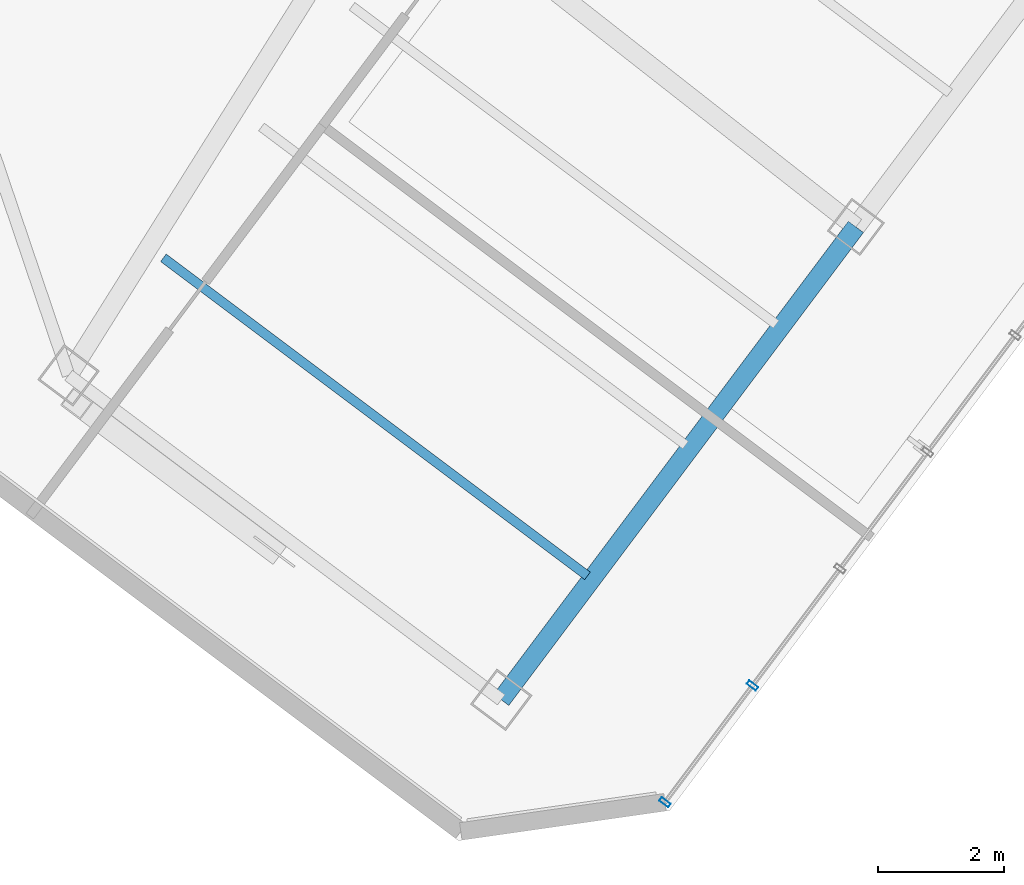
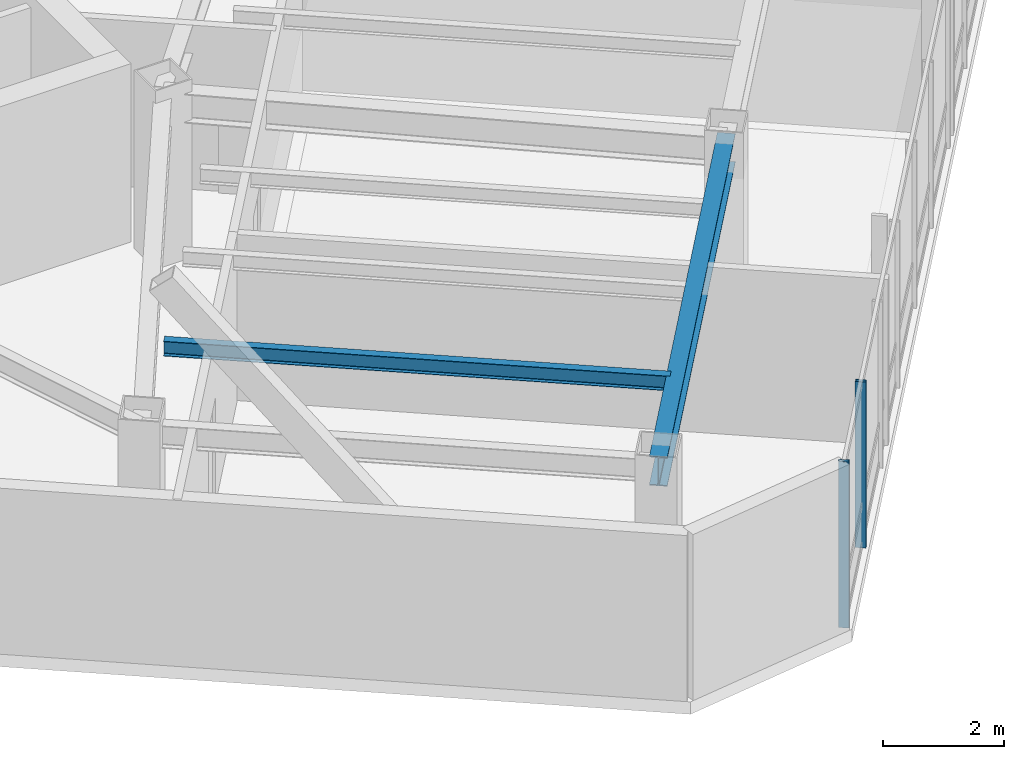
# One storey, part 2 of 26: 2 beams, 2 members, 1 element without a shape of its own.
"""IFC4 building model written with IfcOpenShell, lengths in metres."""

import ifcopenshell
import ifcopenshell.guid

model = None  # the IFC model being written
_history = None  # IfcOwnerHistory: only IFC2X3 demands one
_inside = {}  # id of a spatial element -> (the spatial element, [elements in it])
_under = {}  # id of a project, library or spatial element -> (it, [spatial elements below it])
_declared = {}  # id of a project -> (the project, [libraries it declares])
_typed = {}  # id of a type object -> (the type object, [elements of that type])
_made_of = {}  # id of a material, layer set ... -> (it, [elements and type objects made of it])


def new_model(schema):
    """Start an empty IFC model of exactly this schema.

    Asked for "IFC4X3", IfcOpenShell would pick the latest addendum, in which some entities
    have other attributes; the version numbers below select the first issue.
    IFC2X3 requires an IfcOwnerHistory on every rooted entity: one is made here for all.
    """
    global model, _history
    if schema == "IFC4X3":
        model = ifcopenshell.file(schema_version=(4, 3, 0, 0))
    else:
        model = ifcopenshell.file(schema=schema)
    _inside.clear()
    _under.clear()
    _declared.clear()
    _typed.clear()
    _made_of.clear()
    _history = None
    if model.schema == "IFC2X3":
        org = make("IfcOrganization", Name="unknown")
        user = make(
            "IfcPersonAndOrganization",
            ThePerson=make("IfcPerson", FamilyName="unknown"),
            TheOrganization=org,
        )
        app = make(
            "IfcApplication",
            ApplicationDeveloper=org,
            Version="unknown",
            ApplicationFullName="unknown",
            ApplicationIdentifier="unknown",
        )
        _history = make(
            "IfcOwnerHistory",
            OwningUser=user,
            OwningApplication=app,
            ChangeAction="ADDED",
            CreationDate=0,
        )
    return model


def make(cls, **values):
    """One entity of the class cls with the attributes given. An attribute that is None is left unset."""
    return model.create_entity(
        cls, **{name: value for name, value in values.items() if value is not None}
    )


def rooted(cls, **values):
    """An entity with a GlobalId (a new one), such as an element, a storey or a relation."""
    return make(cls, GlobalId=ifcopenshell.guid.new(), OwnerHistory=_history, **values)


def si_unit(unit_type, name, prefix=None):
    """IfcSIUnit, for example si_unit("LENGTHUNIT", "METRE", prefix="MILLI")."""
    return make("IfcSIUnit", UnitType=unit_type, Prefix=prefix, Name=name)


def assignment(units):
    """IfcUnitAssignment: the units of a project."""
    return None if units is None else make("IfcUnitAssignment", Units=units)


def point(xyz):
    """IfcCartesianPoint."""
    return None if xyz is None else make("IfcCartesianPoint", Coordinates=xyz)


def direction(xyz):
    """IfcDirection."""
    return None if xyz is None else make("IfcDirection", DirectionRatios=xyz)


def frame(location, z_axis=None, x_axis=None):
    """IfcAxis2Placement3D, a coordinate frame: its origin and axes. An axis left out is left unset."""
    return make(
        "IfcAxis2Placement3D",
        Location=point(location),
        Axis=direction(z_axis),
        RefDirection=direction(x_axis),
    )


def frame_2d(location, x_axis=None):
    """IfcAxis2Placement2D, a coordinate frame in the plane: its origin and x axis."""
    return make(
        "IfcAxis2Placement2D", Location=point(location), RefDirection=direction(x_axis)
    )


def origin():
    """The frame at (0, 0, 0) with its axes left unset."""
    return frame((0.0, 0.0, 0.0))


def origin_2d():
    """The frame at (0, 0) in the plane with its x axis left unset."""
    return frame_2d((0.0, 0.0))


def place(relative_to, where):
    """IfcLocalPlacement: puts the frame where relative to a parent placement (None: the world)."""
    return make(
        "IfcLocalPlacement", PlacementRelTo=relative_to, RelativePlacement=where
    )


def context(
    kind, dimensions, precision=None, world=None, true_north=None, identifier=None
):
    """IfcGeometricRepresentationContext, for example the 3D "Model" context."""
    return make(
        "IfcGeometricRepresentationContext",
        ContextIdentifier=identifier,
        ContextType=kind,
        CoordinateSpaceDimension=dimensions,
        Precision=precision,
        WorldCoordinateSystem=world,
        TrueNorth=true_north,
    )


def subcontext(parent, identifier, kind, view, scale=None):
    """IfcGeometricRepresentationSubContext, for example "Body" below "Model"."""
    return make(
        "IfcGeometricRepresentationSubContext",
        ContextIdentifier=identifier,
        ContextType=kind,
        ParentContext=parent,
        TargetScale=scale,
        TargetView=view,
    )


def project(units=None, contexts=None):
    """IfcProject with its units and contexts."""
    return rooted(
        "IfcProject",
        Name="project",
        RepresentationContexts=contexts,
        UnitsInContext=assignment(units),
    )


def spatial(cls, under=None, at=None, **own):
    """A site, building, storey or space (cls), placed at a placement, below another one or the project."""
    s = rooted(cls, ObjectPlacement=at, **own)
    if under is not None:
        _under.setdefault(under.id(), (under, []))[1].append(s)
    return s


def profile(cls, at=None, kind="AREA", **sizes):
    """A parametric profile (cls). Its sizes go by their IFC names, for example OverallWidth=200.0."""
    return make(cls, ProfileType=kind, Position=at, **sizes)


def hollow_rectangle(**sizes):
    """IfcRectangleHollowProfileDef."""
    return profile("IfcRectangleHollowProfileDef", **sizes)


def i_section(**sizes):
    """IfcIShapeProfileDef."""
    return profile("IfcIShapeProfileDef", **sizes)


def extrude(swept, where, along, depth):
    """IfcExtrudedAreaSolid: the profile swept, set in the frame where, extruded along a direction by depth."""
    return make(
        "IfcExtrudedAreaSolid",
        SweptArea=swept,
        Position=where,
        ExtrudedDirection=direction(along),
        Depth=depth,
    )


def shape(context_of_items, identifier, shape_type, items):
    """IfcShapeRepresentation: the items that make up one representation, for example the "Body"."""
    return make(
        "IfcShapeRepresentation",
        ContextOfItems=context_of_items,
        RepresentationIdentifier=identifier,
        RepresentationType=shape_type,
        Items=items,
    )


def material(Name=None, Category=None):
    """IfcMaterial."""
    return make("IfcMaterial", Name=Name, Category=Category)


def layer(
    of_material, thickness, ventilated=None, Name=None, Category=None, Priority=None
):
    """IfcMaterialLayer: one layer of a wall or slab, of a material (None: an air gap)."""
    return make(
        "IfcMaterialLayer",
        Material=of_material,
        LayerThickness=thickness,
        IsVentilated=ventilated,
        Name=Name,
        Category=Category,
        Priority=Priority,
    )


def layer_set(layers, Name=None):
    """IfcMaterialLayerSet."""
    return make("IfcMaterialLayerSet", MaterialLayers=layers, LayerSetName=Name)


def material_profile(
    of_material, cross_section, Name=None, Category=None, Priority=None
):
    """IfcMaterialProfile: a cross section and its material."""
    return make(
        "IfcMaterialProfile",
        Name=Name,
        Material=of_material,
        Profile=cross_section,
        Priority=Priority,
        Category=Category,
    )


def profile_set(profiles, Name=None, composite=None):
    """IfcMaterialProfileSet."""
    return make(
        "IfcMaterialProfileSet",
        Name=Name,
        MaterialProfiles=profiles,
        CompositeProfile=composite,
    )


def made_of(thing, what):
    """Note that an element or type object is made of a material, layer set ...; save() writes the relation."""
    if what is not None:
        _made_of.setdefault(what.id(), (what, []))[1].append(thing)
    return thing


def type_object(cls, material=None, **own):
    """A type object (cls), such as IfcWallType, which elements share."""
    return made_of(rooted(cls, **own), material)


def element(
    cls,
    number,
    at=None,
    inside=None,
    cuts=None,
    type_object=None,
    material=None,
    context=None,
    identifier="Body",
    shape_type=None,
    held_by="IfcProductDefinitionShape",
    body=None,
    shapes=None,
    **own,
):
    """One element of the class cls, such as IfcWall. Its Tag is "e" and its number.

    at: its placement. inside: the storey or other place that contains it. cuts: it is an
    opening in that element (IfcRelVoidsElement). A single representation is given by context,
    identifier, shape_type and body (its items); several are given by shapes. held_by: the class
    of the entity that holds the representations. save() writes the other relations.
    """
    e = rooted(cls, Tag="e%d" % number, ObjectPlacement=at, **own)
    if body is not None:
        shapes = [shape(context, identifier, shape_type, body)]
    if shapes is not None:
        e.Representation = make(held_by, Representations=shapes)
    if inside is not None:
        _inside.setdefault(inside.id(), (inside, []))[1].append(e)
    if cuts is not None:
        rooted(
            "IfcRelVoidsElement", RelatingBuildingElement=cuts, RelatedOpeningElement=e
        )
    if type_object is not None:
        _typed.setdefault(type_object.id(), (type_object, []))[1].append(e)
    return made_of(e, material)


def aggregate(whole, parts):
    """IfcRelAggregates: a whole, such as a stair, and the parts it consists of."""
    return rooted("IfcRelAggregates", RelatingObject=whole, RelatedObjects=parts)


def save(model, path):
    """Write the relations noted so far, then the file.

    IfcRelAggregates (storeys below a building ...), IfcRelContainedInSpatialStructure (elements
    in a storey), IfcRelDefinesByType, IfcRelAssociatesMaterial and IfcRelDeclares: one each for
    every whole, place, type object, material and project.
    """
    for whole, parts in _under.values():
        aggregate(whole, parts)
    for where, things in _inside.values():
        rooted(
            "IfcRelContainedInSpatialStructure",
            RelatedElements=things,
            RelatingStructure=where,
        )
    for kind, things in _typed.values():
        rooted("IfcRelDefinesByType", RelatedObjects=things, RelatingType=kind)
    for what, things in _made_of.values():
        rooted("IfcRelAssociatesMaterial", RelatedObjects=things, RelatingMaterial=what)
    for by, libraries in _declared.values():
        rooted("IfcRelDeclares", RelatingContext=by, RelatedDefinitions=libraries)
    model.write(path)


model = new_model("IFC4")

# Units and contexts
model_context = context("Model", 3, precision=1e-05, world=origin(), true_north=direction((0.0, 1.0)))
body_context = subcontext(model_context, "Body", "Model", "MODEL_VIEW")
ifc_project = project(units=[si_unit("LENGTHUNIT", "METRE"), si_unit("AREAUNIT", "SQUARE_METRE"), si_unit("VOLUMEUNIT", "CUBIC_METRE"), si_unit("PLANEANGLEUNIT", "RADIAN"), si_unit("MASSUNIT", "GRAM", prefix="KILO")], contexts=[model_context])

# Site, building, storey
site_placement = place(None, origin())
site = spatial("IfcSite", under=ifc_project, at=site_placement, CompositionType="ELEMENT")
building_placement = place(site_placement, origin())
building = spatial("IfcBuilding", under=site, at=building_placement, Name="Hatsunagi Terrace Concourse", CompositionType="ELEMENT")
storey_placement = place(building_placement, frame((0.0, 0.0, 227.550048828125)))
storey = spatial("IfcBuildingStorey", under=building, at=storey_placement, Name="L60", CompositionType="ELEMENT", Elevation=227.550048828125)

# Curtain wall, members
ifc_material_1 = material(Name="Anodised Aluminium Alloy 6063-T5", Category="aluminium")
ifc_layer = layer(ifc_material_1, 0.199951171875)
ifc_layer_set = layer_set([ifc_layer], Name="OfficeZone2_CW04")
curtain_wall_type = type_object("IfcCurtainWallType", Name="OfficeZone2_CW04", PredefinedType="NOTDEFINED", material=ifc_layer_set)
curtain_wall_placement = place(storey_placement, origin())
curtain_wall = element("IfcCurtainWall", 1, at=curtain_wall_placement, inside=storey, type_object=curtain_wall_type, Name="Unitised Curtain Wall CW-04 CW-L60-03", PredefinedType="NOTDEFINED")
ifc_material_2 = material(Name="Anodised Aluminium Alloy 6063-T5", Category="aluminium")
ifc_material_profile_1 = material_profile(ifc_material_2, hollow_rectangle(XDim=0.070068359375, YDim=0.179931640625, WallThickness=0.00390625, at=origin_2d()), Name="ALU-MUL-180x70x4")
ifc_profile_set_1 = profile_set([ifc_material_profile_1], Name="Anodised Aluminium Alloy 6063-T5")
member_type = type_object("IfcMemberType", Name="CurtainWallMullion_180x70", PredefinedType="MULLION", material=ifc_profile_set_1)
member_1_placement = place(storey_placement, frame((49.554931640625, 11.10595703125, 0.0), z_axis=(0.0, 0.0, 1.0), x_axis=(-0.599969314634, -0.800023013105, 0.0)))
member_1 = element("IfcMember", 2, at=member_1_placement, type_object=member_type, Name="Curtain Wall Mullion MUL-02", PredefinedType="MULLION", context=body_context, shape_type="SweptSolid", body=[
    extrude(hollow_rectangle(XDim=0.070068359375, YDim=0.179931640625, WallThickness=0.00390625, at=origin_2d()), origin(), (0.0, 0.0, 1.0), 3.349853515625),
])
member_2_placement = place(storey_placement, frame((48.1630859375, 9.25, 0.0), z_axis=(0.0, 0.0, 1.0), x_axis=(-0.599969314634, -0.800023013105, 0.0)))
member_2 = element("IfcMember", 3, at=member_2_placement, type_object=member_type, Name="Curtain Wall Mullion MUL-02", PredefinedType="MULLION", context=body_context, shape_type="SweptSolid", body=[
    extrude(hollow_rectangle(XDim=0.070068359375, YDim=0.179931640625, WallThickness=0.00390625, at=origin_2d()), origin(), (0.0, 0.0, 1.0), 3.349853515625),
])
aggregate(curtain_wall, [member_1, member_2])

# Beams
ifc_material_3 = material(Name="Steel SN490B", Category="steel")
ifc_material_profile_2 = material_profile(ifc_material_3, i_section(OverallWidth=0.300048828125, OverallDepth=0.587890625, WebThickness=0.011962890625, FlangeThickness=0.02001953125, FilletRadius=0.01806640625, at=origin_2d()), Name="H-588x300x12x20")
ifc_profile_set_2 = profile_set([ifc_material_profile_2], Name="Steel SN490B")
beam_type_1 = type_object("IfcBeamType", Name="OfficeHighGirder_H_588x300", PredefinedType="BEAM", material=ifc_profile_set_2)
beam_1_placement = place(storey_placement, frame((45.56005859375, 10.8798828125, 3.055908203125), z_axis=(0.599991688754, 0.800006233367, 0.0), x_axis=(-0.800006233367, 0.599991688754, 0.0)))
element("IfcBeam", 4, at=beam_1_placement, inside=storey, type_object=beam_type_1, Name="Beam G-06 BM-L60-SET-2A", PredefinedType="BEAM", context=body_context, shape_type="SweptSolid", body=[
    extrude(i_section(OverallWidth=0.300048828125, OverallDepth=0.587890625, WebThickness=0.011962890625, FlangeThickness=0.02001953125, FilletRadius=0.01806640625, at=origin_2d()), origin(), (0.0, 0.0, 1.0), 9.39990234375),
])
ifc_material_4 = material(Name="Steel SN490B", Category="steel")
ifc_material_profile_3 = material_profile(ifc_material_4, i_section(OverallWidth=0.14990234375, OverallDepth=0.300048828125, WebThickness=0.006591796875, FlangeThickness=0.009033203125, FilletRadius=0.010986328125, at=origin_2d()), Name="H-300x150x6.5x9")
ifc_profile_set_3 = profile_set([ifc_material_profile_3], Name="Steel SN490B")
beam_type_2 = type_object("IfcBeamType", Name="OfficeJoist_H_300x150", PredefinedType="JOIST", material=ifc_profile_set_3)
beam_2_placement = place(storey_placement, frame((40.18798828125, 17.908935546875, 3.199951171875), z_axis=(0.800003475366, -0.59999536615, 0.0), x_axis=(0.59999536615, 0.800003475366, 0.0)))
element("IfcBeam", 5, at=beam_2_placement, inside=storey, type_object=beam_type_2, Name="Beam J-03 J-L60-SE-2-46", PredefinedType="JOIST", context=body_context, shape_type="SweptSolid", body=[
    extrude(i_section(OverallWidth=0.14990234375, OverallDepth=0.300048828125, WebThickness=0.006591796875, FlangeThickness=0.009033203125, FilletRadius=0.010986328125, at=origin_2d()), origin(), (0.0, 0.0, 1.0), 8.429931640625),
])

save(model, "model.ifc")
